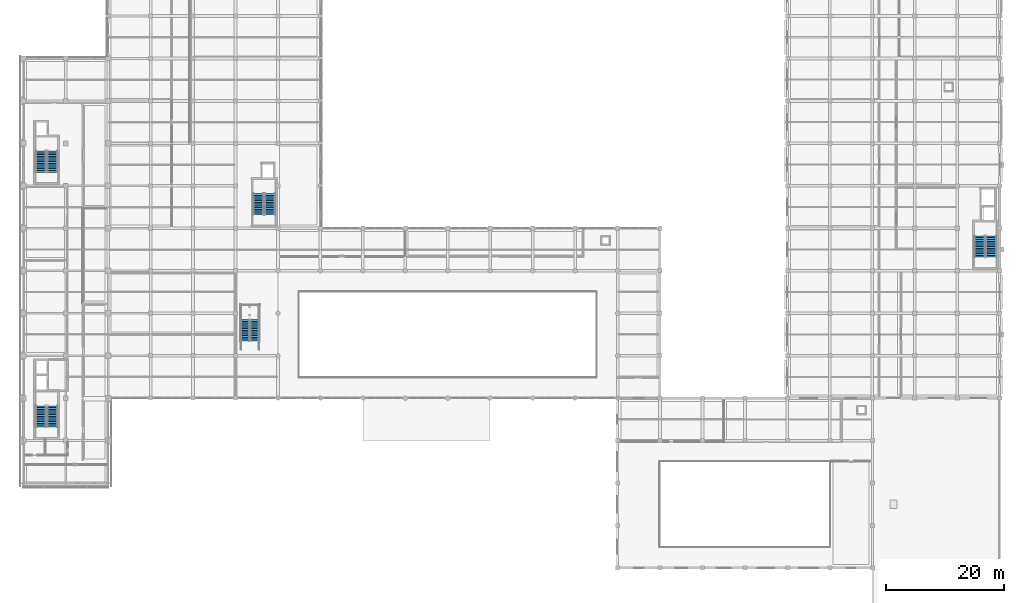
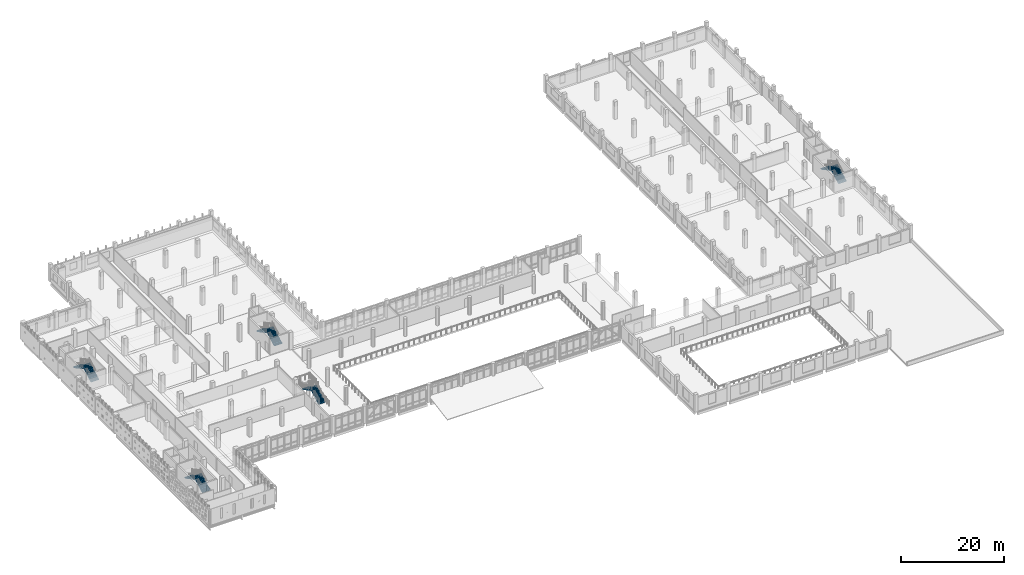
# One storey, part 42 of 57: 10 stair flights, 5 elements without a shape of their own.
"""IFC4 building model written with IfcOpenShell, lengths in metres."""

from ifc_helpers import new_model, si_unit, direction, frame, origin, place, context, subcontext, project, spatial, polyline, outline, extrude, material, type_object, element, aggregate, save


model = new_model("IFC4")

# Units and contexts
model_context = context("Model", 3, precision=1e-05, world=origin(), true_north=direction((0.0, 1.0)))
body_context = subcontext(model_context, "Body", "Model", "MODEL_VIEW")
ifc_project = project(units=[si_unit("LENGTHUNIT", "METRE"), si_unit("AREAUNIT", "SQUARE_METRE"), si_unit("VOLUMEUNIT", "CUBIC_METRE"), si_unit("PLANEANGLEUNIT", "RADIAN"), si_unit("MASSUNIT", "GRAM", prefix="KILO")], contexts=[model_context])

# Site, building, storey
site_placement = place(None, origin())
site = spatial("IfcSite", under=ifc_project, at=site_placement, CompositionType="ELEMENT")
building_placement = place(site_placement, origin())
building = spatial("IfcBuilding", under=site, at=building_placement, Name="Valkovuoma Quantum and Materials Research Institute", CompositionType="ELEMENT")
storey_placement = place(building_placement, frame((0.0, 0.0, 4.800048828125)))
storey = spatial("IfcBuildingStorey", under=building, at=storey_placement, Name="L01", CompositionType="ELEMENT", Elevation=4.800048828125)

# Stair, stair flights
ifc_material_1 = material(Name="Concrete C40/50", Category="concrete")
stair_type_1 = type_object("IfcStairType", Name="Stair-ST-COR", PredefinedType="HALF_TURN_STAIR", material=ifc_material_1)
stair_1_placement = place(storey_placement, origin())
stair_1 = element("IfcStair", 1, at=stair_1_placement, inside=storey, type_object=stair_type_1, Name="L01 Exit Stair ST-1", PredefinedType="HALF_TURN_STAIR")
ifc_material_2 = material(Name="Concrete C40/50", Category="concrete")
stair_flight_type_1 = type_object("IfcStairFlightType", Name="Flight-STF-145", PredefinedType="STRAIGHT", material=ifc_material_2)
stair_flight_1_placement = place(storey_placement, frame((4.949951171875, 31.10009765625, 0.0), z_axis=(0.0, 0.0, 1.0), x_axis=(0.0, 1.0, 0.0)))
stair_flight_1 = element("IfcStairFlight", 2, at=stair_flight_1_placement, type_object=stair_flight_type_1, Name="ST-1 flight 1", NumberOfRisers=13, NumberOfTreads=12, PredefinedType="STRAIGHT", RiserHeight=0.16, TreadLength=0.3, context=body_context, shape_type="SweptSolid", body=[
    extrude(outline(polyline([(0.0, 0.0), (0.0, 0.159912109375), (0.300048828125, 0.159912109375), (0.300048828125, 0.320068359375), (0.60009765625, 0.320068359375), (0.60009765625, 0.47998046875), (0.89990234375, 0.47998046875), (0.89990234375, 0.639892578125), (1.199951171875, 0.639892578125), (1.199951171875, 0.800048828125), (1.5, 0.800048828125), (1.5, 0.9599609375), (1.800048828125, 0.9599609375), (1.800048828125, 1.1201171875), (2.10009765625, 1.1201171875), (2.10009765625, 1.280029296875), (2.39990234375, 1.280029296875), (2.39990234375, 1.43994140625), (2.699951171875, 1.43994140625), (2.699951171875, 1.60009765625), (3.0, 1.60009765625), (3.0, 1.760009765625), (3.300048828125, 1.760009765625), (3.300048828125, 1.919921875), (3.60009765625, 1.919921875), (3.60009765625, 2.080078125), (3.60009765625, 1.75), (0.318603515625, 0.0), (0.0, 0.0)])), frame((0.0, 0.89990234375, 0.0), z_axis=(0.0, -1.0, 0.0), x_axis=(1.0, 0.0, 0.0)), (0.0, 0.0, 1.0), 1.800048828125),
])
stair_flight_2_placement = place(storey_placement, frame((3.0, 34.699951171875, 2.079833984375), z_axis=(0.0, 0.0, 1.0), x_axis=(0.0, -1.0, 0.0)))
stair_flight_2 = element("IfcStairFlight", 3, at=stair_flight_2_placement, type_object=stair_flight_type_1, Name="ST-1 flight 2", NumberOfRisers=13, NumberOfTreads=12, PredefinedType="STRAIGHT", RiserHeight=0.16, TreadLength=0.3, context=body_context, shape_type="SweptSolid", body=[
    extrude(outline(polyline([(0.0, 0.0), (0.0, 0.159912109375), (0.300048828125, 0.159912109375), (0.300048828125, 0.320068359375), (0.60009765625, 0.320068359375), (0.60009765625, 0.47998046875), (0.89990234375, 0.47998046875), (0.89990234375, 0.639892578125), (1.199951171875, 0.639892578125), (1.199951171875, 0.800048828125), (1.5, 0.800048828125), (1.5, 0.9599609375), (1.800048828125, 0.9599609375), (1.800048828125, 1.1201171875), (2.10009765625, 1.1201171875), (2.10009765625, 1.280029296875), (2.39990234375, 1.280029296875), (2.39990234375, 1.43994140625), (2.699951171875, 1.43994140625), (2.699951171875, 1.60009765625), (3.0, 1.60009765625), (3.0, 1.760009765625), (3.300048828125, 1.760009765625), (3.300048828125, 1.919921875), (3.60009765625, 1.919921875), (3.60009765625, 2.080078125), (3.60009765625, 1.75), (0.318603515625, 0.0), (0.0, 0.0)])), frame((0.0, 0.89990234375, 0.0), z_axis=(0.0, -1.0, 0.0), x_axis=(1.0, 0.0, 0.0)), (0.0, 0.0, 1.0), 1.800048828125),
])
aggregate(stair_1, [stair_flight_1, stair_flight_2])

stair_2_placement = place(storey_placement, origin())
stair_2 = element("IfcStair", 4, at=stair_2_placement, inside=storey, type_object=stair_type_1, Name="L01 Exit Stair ST-2", PredefinedType="HALF_TURN_STAIR")
stair_flight_3_placement = place(storey_placement, frame((4.949951171875, 74.300048828125, 0.0), z_axis=(0.0, 0.0, 1.0), x_axis=(0.0, 1.0, 0.0)))
stair_flight_3 = element("IfcStairFlight", 5, at=stair_flight_3_placement, type_object=stair_flight_type_1, Name="ST-2 flight 1", NumberOfRisers=13, NumberOfTreads=12, PredefinedType="STRAIGHT", RiserHeight=0.16, TreadLength=0.3, context=body_context, shape_type="SweptSolid", body=[
    extrude(outline(polyline([(0.0, 0.0), (0.0, 0.159912109375), (0.300048828125, 0.159912109375), (0.300048828125, 0.320068359375), (0.60009765625, 0.320068359375), (0.60009765625, 0.47998046875), (0.89990234375, 0.47998046875), (0.89990234375, 0.639892578125), (1.199951171875, 0.639892578125), (1.199951171875, 0.800048828125), (1.5, 0.800048828125), (1.5, 0.9599609375), (1.800048828125, 0.9599609375), (1.800048828125, 1.1201171875), (2.10009765625, 1.1201171875), (2.10009765625, 1.280029296875), (2.39990234375, 1.280029296875), (2.39990234375, 1.43994140625), (2.699951171875, 1.43994140625), (2.699951171875, 1.60009765625), (3.0, 1.60009765625), (3.0, 1.760009765625), (3.300048828125, 1.760009765625), (3.300048828125, 1.919921875), (3.60009765625, 1.919921875), (3.60009765625, 2.080078125), (3.60009765625, 1.75), (0.318603515625, 0.0), (0.0, 0.0)])), frame((0.0, 0.89990234375, 0.0), z_axis=(0.0, -1.0, 0.0), x_axis=(1.0, 0.0, 0.0)), (0.0, 0.0, 1.0), 1.800048828125),
])
stair_flight_4_placement = place(storey_placement, frame((3.0, 77.89990234375, 2.079833984375), z_axis=(0.0, 0.0, 1.0), x_axis=(0.0, -1.0, 0.0)))
stair_flight_4 = element("IfcStairFlight", 6, at=stair_flight_4_placement, type_object=stair_flight_type_1, Name="ST-2 flight 2", NumberOfRisers=13, NumberOfTreads=12, PredefinedType="STRAIGHT", RiserHeight=0.16, TreadLength=0.3, context=body_context, shape_type="SweptSolid", body=[
    extrude(outline(polyline([(0.0, 0.0), (0.0, 0.159912109375), (0.300048828125, 0.159912109375), (0.300048828125, 0.320068359375), (0.60009765625, 0.320068359375), (0.60009765625, 0.47998046875), (0.89990234375, 0.47998046875), (0.89990234375, 0.639892578125), (1.199951171875, 0.639892578125), (1.199951171875, 0.800048828125), (1.5, 0.800048828125), (1.5, 0.9599609375), (1.800048828125, 0.9599609375), (1.800048828125, 1.1201171875), (2.10009765625, 1.1201171875), (2.10009765625, 1.280029296875), (2.39990234375, 1.280029296875), (2.39990234375, 1.43994140625), (2.699951171875, 1.43994140625), (2.699951171875, 1.60009765625), (3.0, 1.60009765625), (3.0, 1.760009765625), (3.300048828125, 1.760009765625), (3.300048828125, 1.919921875), (3.60009765625, 1.919921875), (3.60009765625, 2.080078125), (3.60009765625, 1.75), (0.318603515625, 0.0), (0.0, 0.0)])), frame((0.0, 0.89990234375, 0.0), z_axis=(0.0, -1.0, 0.0), x_axis=(1.0, 0.0, 0.0)), (0.0, 0.0, 1.0), 1.800048828125),
])
aggregate(stair_2, [stair_flight_3, stair_flight_4])

stair_3_placement = place(storey_placement, origin())
stair_3 = element("IfcStair", 7, at=stair_3_placement, inside=storey, type_object=stair_type_1, Name="L01 Exit Stair ST-3", PredefinedType="HALF_TURN_STAIR")
stair_flight_5_placement = place(storey_placement, frame((164.14990234375, 59.89990234375, 0.0), z_axis=(0.0, 0.0, 1.0), x_axis=(0.0, 1.0, 0.0)))
stair_flight_5 = element("IfcStairFlight", 8, at=stair_flight_5_placement, type_object=stair_flight_type_1, Name="ST-3 flight 1", NumberOfRisers=13, NumberOfTreads=12, PredefinedType="STRAIGHT", RiserHeight=0.16, TreadLength=0.3, context=body_context, shape_type="SweptSolid", body=[
    extrude(outline(polyline([(0.0, 0.0), (0.0, 0.159912109375), (0.300048828125, 0.159912109375), (0.300048828125, 0.320068359375), (0.60009765625, 0.320068359375), (0.60009765625, 0.47998046875), (0.89990234375, 0.47998046875), (0.89990234375, 0.639892578125), (1.199951171875, 0.639892578125), (1.199951171875, 0.800048828125), (1.5, 0.800048828125), (1.5, 0.9599609375), (1.800048828125, 0.9599609375), (1.800048828125, 1.1201171875), (2.10009765625, 1.1201171875), (2.10009765625, 1.280029296875), (2.39990234375, 1.280029296875), (2.39990234375, 1.43994140625), (2.699951171875, 1.43994140625), (2.699951171875, 1.60009765625), (3.0, 1.60009765625), (3.0, 1.760009765625), (3.300048828125, 1.760009765625), (3.300048828125, 1.919921875), (3.60009765625, 1.919921875), (3.60009765625, 2.080078125), (3.60009765625, 1.75), (0.318603515625, 0.0), (0.0, 0.0)])), frame((0.0, 0.89990234375, 0.0), z_axis=(0.0, -1.0, 0.0), x_axis=(1.0, 0.0, 0.0)), (0.0, 0.0, 1.0), 1.800048828125),
])
stair_flight_6_placement = place(storey_placement, frame((162.199951171875, 63.5, 2.079833984375), z_axis=(0.0, 0.0, 1.0), x_axis=(0.0, -1.0, 0.0)))
stair_flight_6 = element("IfcStairFlight", 9, at=stair_flight_6_placement, type_object=stair_flight_type_1, Name="ST-3 flight 2", NumberOfRisers=13, NumberOfTreads=12, PredefinedType="STRAIGHT", RiserHeight=0.16, TreadLength=0.3, context=body_context, shape_type="SweptSolid", body=[
    extrude(outline(polyline([(0.0, 0.0), (0.0, 0.159912109375), (0.300048828125, 0.159912109375), (0.300048828125, 0.320068359375), (0.60009765625, 0.320068359375), (0.60009765625, 0.47998046875), (0.89990234375, 0.47998046875), (0.89990234375, 0.639892578125), (1.199951171875, 0.639892578125), (1.199951171875, 0.800048828125), (1.5, 0.800048828125), (1.5, 0.9599609375), (1.800048828125, 0.9599609375), (1.800048828125, 1.1201171875), (2.10009765625, 1.1201171875), (2.10009765625, 1.280029296875), (2.39990234375, 1.280029296875), (2.39990234375, 1.43994140625), (2.699951171875, 1.43994140625), (2.699951171875, 1.60009765625), (3.0, 1.60009765625), (3.0, 1.760009765625), (3.300048828125, 1.760009765625), (3.300048828125, 1.919921875), (3.60009765625, 1.919921875), (3.60009765625, 2.080078125), (3.60009765625, 1.75), (0.318603515625, 0.0), (0.0, 0.0)])), frame((0.0, 0.89990234375, 0.0), z_axis=(0.0, -1.0, 0.0), x_axis=(1.0, 0.0, 0.0)), (0.0, 0.0, 1.0), 1.800048828125),
])
aggregate(stair_3, [stair_flight_5, stair_flight_6])

stair_4_placement = place(storey_placement, origin())
stair_4 = element("IfcStair", 10, at=stair_4_placement, inside=storey, type_object=stair_type_1, Name="L01 Exit Stair ST-4", PredefinedType="HALF_TURN_STAIR")
stair_flight_7_placement = place(storey_placement, frame((41.85009765625, 67.10009765625, 0.0), z_axis=(0.0, 0.0, 1.0), x_axis=(0.0, 1.0, 0.0)))
stair_flight_7 = element("IfcStairFlight", 11, at=stair_flight_7_placement, type_object=stair_flight_type_1, Name="ST-4 flight 1", NumberOfRisers=13, NumberOfTreads=12, PredefinedType="STRAIGHT", RiserHeight=0.16, TreadLength=0.3, context=body_context, shape_type="SweptSolid", body=[
    extrude(outline(polyline([(0.0, 0.0), (0.0, 0.159912109375), (0.300048828125, 0.159912109375), (0.300048828125, 0.320068359375), (0.60009765625, 0.320068359375), (0.60009765625, 0.47998046875), (0.89990234375, 0.47998046875), (0.89990234375, 0.639892578125), (1.199951171875, 0.639892578125), (1.199951171875, 0.800048828125), (1.5, 0.800048828125), (1.5, 0.9599609375), (1.800048828125, 0.9599609375), (1.800048828125, 1.1201171875), (2.10009765625, 1.1201171875), (2.10009765625, 1.280029296875), (2.39990234375, 1.280029296875), (2.39990234375, 1.43994140625), (2.699951171875, 1.43994140625), (2.699951171875, 1.60009765625), (3.0, 1.60009765625), (3.0, 1.760009765625), (3.300048828125, 1.760009765625), (3.300048828125, 1.919921875), (3.60009765625, 1.919921875), (3.60009765625, 2.080078125), (3.60009765625, 1.75), (0.318603515625, 0.0), (0.0, 0.0)])), frame((0.0, 0.89990234375, 0.0), z_axis=(0.0, -1.0, 0.0), x_axis=(1.0, 0.0, 0.0)), (0.0, 0.0, 1.0), 1.800048828125),
])
stair_flight_8_placement = place(storey_placement, frame((39.89990234375, 70.699951171875, 2.079833984375), z_axis=(0.0, 0.0, 1.0), x_axis=(0.0, -1.0, 0.0)))
stair_flight_8 = element("IfcStairFlight", 12, at=stair_flight_8_placement, type_object=stair_flight_type_1, Name="ST-4 flight 2", NumberOfRisers=13, NumberOfTreads=12, PredefinedType="STRAIGHT", RiserHeight=0.16, TreadLength=0.3, context=body_context, shape_type="SweptSolid", body=[
    extrude(outline(polyline([(0.0, 0.0), (0.0, 0.159912109375), (0.300048828125, 0.159912109375), (0.300048828125, 0.320068359375), (0.60009765625, 0.320068359375), (0.60009765625, 0.47998046875), (0.89990234375, 0.47998046875), (0.89990234375, 0.639892578125), (1.199951171875, 0.639892578125), (1.199951171875, 0.800048828125), (1.5, 0.800048828125), (1.5, 0.9599609375), (1.800048828125, 0.9599609375), (1.800048828125, 1.1201171875), (2.10009765625, 1.1201171875), (2.10009765625, 1.280029296875), (2.39990234375, 1.280029296875), (2.39990234375, 1.43994140625), (2.699951171875, 1.43994140625), (2.699951171875, 1.60009765625), (3.0, 1.60009765625), (3.0, 1.760009765625), (3.300048828125, 1.760009765625), (3.300048828125, 1.919921875), (3.60009765625, 1.919921875), (3.60009765625, 2.080078125), (3.60009765625, 1.75), (0.318603515625, 0.0), (0.0, 0.0)])), frame((0.0, 0.89990234375, 0.0), z_axis=(0.0, -1.0, 0.0), x_axis=(1.0, 0.0, 0.0)), (0.0, 0.0, 1.0), 1.800048828125),
])
aggregate(stair_4, [stair_flight_7, stair_flight_8])

ifc_material_3 = material(Name="Concrete C40/50", Category="concrete")
stair_type_2 = type_object("IfcStairType", Name="Stair-ST-ATR", PredefinedType="HALF_TURN_STAIR", material=ifc_material_3)
stair_5_placement = place(storey_placement, origin())
stair_5 = element("IfcStair", 13, at=stair_5_placement, inside=storey, type_object=stair_type_2, Name="L01 Atrium Stair ST-5", PredefinedType="HALF_TURN_STAIR")
ifc_material_4 = material(Name="Concrete C40/50", Category="concrete")
stair_flight_type_2 = type_object("IfcStairFlightType", Name="Flight-STF-150", PredefinedType="STRAIGHT", material=ifc_material_4)
stair_flight_9_placement = place(storey_placement, frame((39.300048828125, 45.699951171875, 0.0), z_axis=(0.0, 0.0, 1.0), x_axis=(0.0, 1.0, 0.0)))
stair_flight_9 = element("IfcStairFlight", 14, at=stair_flight_9_placement, type_object=stair_flight_type_2, Name="ST-5 flight 1", NumberOfRisers=13, NumberOfTreads=12, PredefinedType="STRAIGHT", RiserHeight=0.16, TreadLength=0.3, context=body_context, shape_type="SweptSolid", body=[
    extrude(outline(polyline([(0.0, 0.0), (0.0, 0.159912109375), (0.300048828125, 0.159912109375), (0.300048828125, 0.320068359375), (0.60009765625, 0.320068359375), (0.60009765625, 0.47998046875), (0.89990234375, 0.47998046875), (0.89990234375, 0.639892578125), (1.199951171875, 0.639892578125), (1.199951171875, 0.800048828125), (1.5, 0.800048828125), (1.5, 0.9599609375), (1.800048828125, 0.9599609375), (1.800048828125, 1.1201171875), (2.10009765625, 1.1201171875), (2.10009765625, 1.280029296875), (2.39990234375, 1.280029296875), (2.39990234375, 1.43994140625), (2.699951171875, 1.43994140625), (2.699951171875, 1.60009765625), (3.0, 1.60009765625), (3.0, 1.760009765625), (3.300048828125, 1.760009765625), (3.300048828125, 1.919921875), (3.60009765625, 1.919921875), (3.60009765625, 2.080078125), (3.60009765625, 1.75), (0.318603515625, 0.0), (0.0, 0.0)])), frame((0.0, 0.75, 0.0), z_axis=(0.0, -1.0, 0.0), x_axis=(1.0, 0.0, 0.0)), (0.0, 0.0, 1.0), 1.5),
])
stair_flight_10_placement = place(storey_placement, frame((37.64990234375, 49.300048828125, 2.079833984375), z_axis=(0.0, 0.0, 1.0), x_axis=(0.0, -1.0, 0.0)))
stair_flight_10 = element("IfcStairFlight", 15, at=stair_flight_10_placement, type_object=stair_flight_type_2, Name="ST-5 flight 2", NumberOfRisers=13, NumberOfTreads=12, PredefinedType="STRAIGHT", RiserHeight=0.16, TreadLength=0.3, context=body_context, shape_type="SweptSolid", body=[
    extrude(outline(polyline([(0.0, 0.0), (0.0, 0.159912109375), (0.300048828125, 0.159912109375), (0.300048828125, 0.320068359375), (0.60009765625, 0.320068359375), (0.60009765625, 0.47998046875), (0.89990234375, 0.47998046875), (0.89990234375, 0.639892578125), (1.199951171875, 0.639892578125), (1.199951171875, 0.800048828125), (1.5, 0.800048828125), (1.5, 0.9599609375), (1.800048828125, 0.9599609375), (1.800048828125, 1.1201171875), (2.10009765625, 1.1201171875), (2.10009765625, 1.280029296875), (2.39990234375, 1.280029296875), (2.39990234375, 1.43994140625), (2.699951171875, 1.43994140625), (2.699951171875, 1.60009765625), (3.0, 1.60009765625), (3.0, 1.760009765625), (3.300048828125, 1.760009765625), (3.300048828125, 1.919921875), (3.60009765625, 1.919921875), (3.60009765625, 2.080078125), (3.60009765625, 1.75), (0.318603515625, 0.0), (0.0, 0.0)])), frame((0.0, 0.75, 0.0), z_axis=(0.0, -1.0, 0.0), x_axis=(1.0, 0.0, 0.0)), (0.0, 0.0, 1.0), 1.5),
])
aggregate(stair_5, [stair_flight_9, stair_flight_10])

save(model, "model.ifc")
